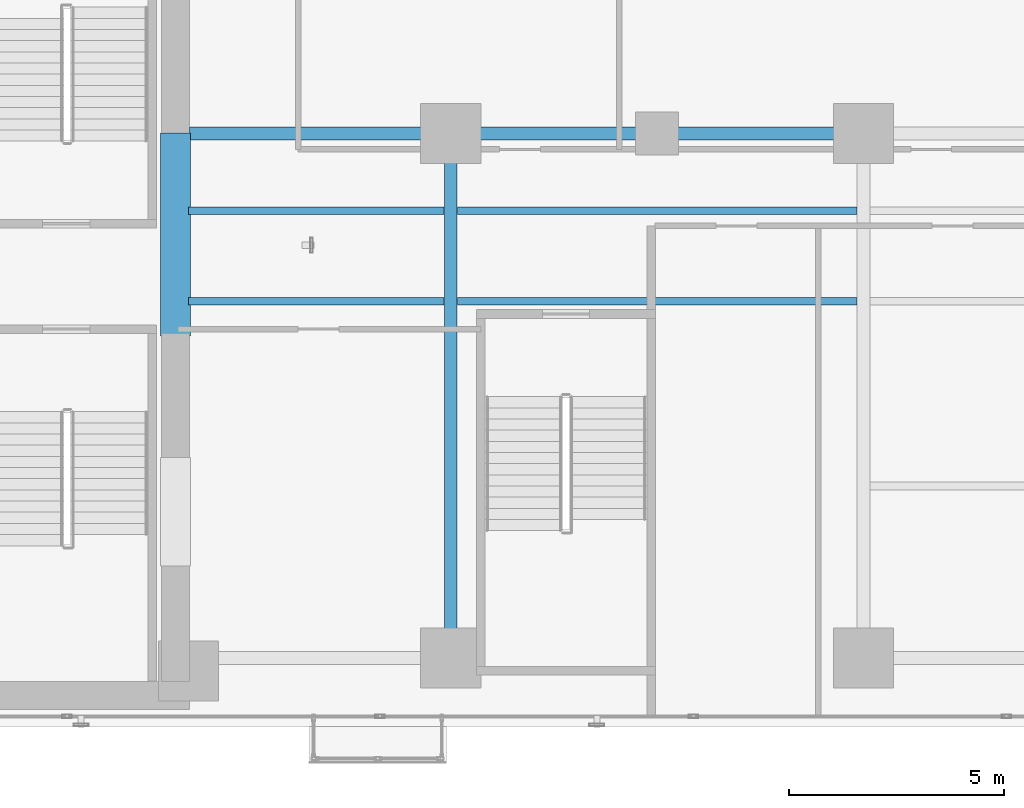
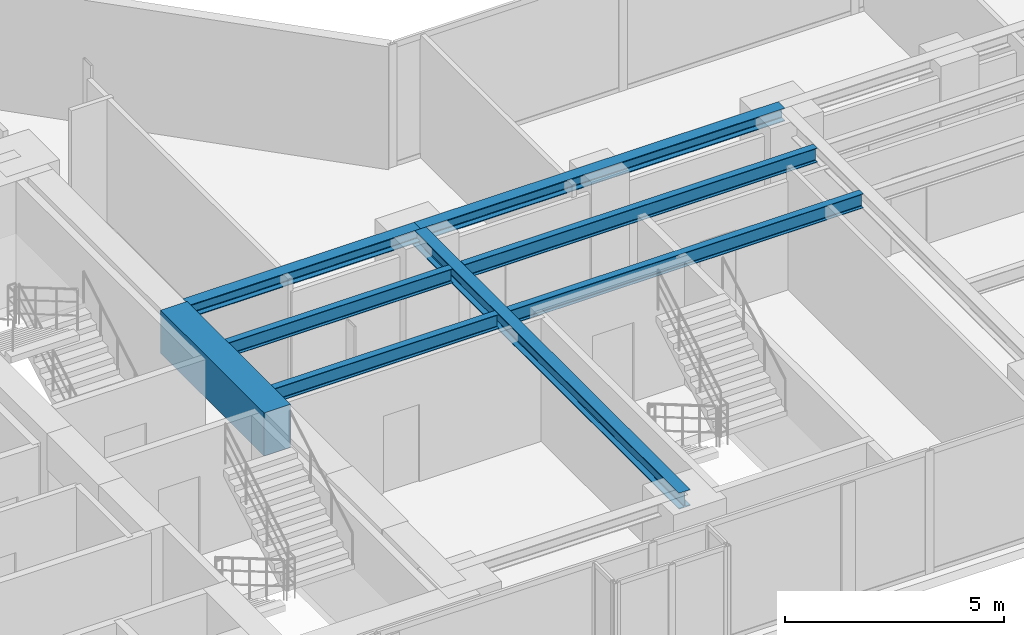
# One storey, part 5 of 25: 8 beams.
"""IFC4 building model written with IfcOpenShell, lengths in metres."""

from ifc_helpers import new_model, si_unit, direction, frame, origin, origin_2d, place, context, subcontext, project, spatial, rectangle, i_section, extrude, material, material_profile, profile_set, type_object, element, save


model = new_model("IFC4")

# Units and contexts
model_context = context("Model", 3, precision=1e-05, world=origin(), true_north=direction((0.0, 1.0)))
body_context = subcontext(model_context, "Body", "Model", "MODEL_VIEW")
ifc_project = project(units=[si_unit("LENGTHUNIT", "METRE"), si_unit("AREAUNIT", "SQUARE_METRE"), si_unit("VOLUMEUNIT", "CUBIC_METRE"), si_unit("PLANEANGLEUNIT", "RADIAN"), si_unit("MASSUNIT", "GRAM", prefix="KILO")], contexts=[model_context])

# Site, building, storey
site_placement = place(None, origin())
site = spatial("IfcSite", under=ifc_project, at=site_placement, CompositionType="ELEMENT")
building_placement = place(site_placement, origin())
building = spatial("IfcBuilding", under=site, at=building_placement, Name="Kolvaren Waterfront Exchange", CompositionType="ELEMENT")
storey_placement = place(building_placement, frame((0.0, 0.0, 137.300048828125)))
storey = spatial("IfcBuildingStorey", under=building, at=storey_placement, Name="L35", CompositionType="ELEMENT", Elevation=137.300048828125)

# Beams
ifc_material_1 = material(Name="Steel S355", Category="steel")
ifc_material_profile_1 = material_profile(ifc_material_1, i_section(OverallWidth=0.300048828125, OverallDepth=0.360107421875, WebThickness=0.012451171875, FlangeThickness=0.0224609375, FilletRadius=0.027099609375, at=origin_2d()), Name="HEB360")
ifc_profile_set_1 = profile_set([ifc_material_profile_1], Name="Steel S355")
beam_type_1 = type_object("IfcBeamType", Name="STR-BM-HEB360", PredefinedType="SPANDREL", material=ifc_profile_set_1)
beam_1_placement = place(storey_placement, frame((21.125, 17.39990234375, 3.239990234375), z_axis=(1.0, 0.0, 0.0), x_axis=(0.0, 1.0, 0.0)))
element("IfcBeam", 1, at=beam_1_placement, inside=storey, type_object=beam_type_1, Name="L35 east-arm spandrel N1", PredefinedType="SPANDREL", context=body_context, shape_type="SweptSolid", body=[
    extrude(i_section(OverallWidth=0.300048828125, OverallDepth=0.360107421875, WebThickness=0.012451171875, FlangeThickness=0.0224609375, FilletRadius=0.027099609375, at=origin_2d()), origin(), (0.0, 0.0, 1.0), 6.074951171875),
])
beam_2_placement = place(storey_placement, frame((27.199951171875, 17.39990234375, 3.239990234375), z_axis=(1.0, 0.0, 0.0), x_axis=(0.0, 1.0, 0.0)))
element("IfcBeam", 2, at=beam_2_placement, inside=storey, type_object=beam_type_1, Name="L35 east-arm spandrel N2", PredefinedType="SPANDREL", context=body_context, shape_type="SweptSolid", body=[
    extrude(i_section(OverallWidth=0.300048828125, OverallDepth=0.360107421875, WebThickness=0.012451171875, FlangeThickness=0.0224609375, FilletRadius=0.027099609375, at=origin_2d()), origin(), (0.0, 0.0, 1.0), 9.60009765625),
])
ifc_material_profile_2 = material_profile(ifc_material_1, i_section(OverallWidth=0.300048828125, OverallDepth=0.449951171875, WebThickness=0.013916015625, FlangeThickness=0.02587890625, FilletRadius=0.027099609375, at=origin_2d()), Name="HEB450")
ifc_profile_set_2 = profile_set([ifc_material_profile_2], Name="Steel S355")
beam_type_2 = type_object("IfcBeamType", Name="STR-BM-HEB450", PredefinedType="BEAM", material=ifc_profile_set_2)
beam_3_placement = place(storey_placement, frame((27.199951171875, 5.199951171875, 3.195068359375), z_axis=(0.0, 1.0, 0.0), x_axis=(-1.0, 0.0, 0.0)))
element("IfcBeam", 3, at=beam_3_placement, inside=storey, type_object=beam_type_2, Name="L35 east-arm transverse girder X27", PredefinedType="BEAM", context=body_context, shape_type="SweptSolid", body=[
    extrude(i_section(OverallWidth=0.300048828125, OverallDepth=0.449951171875, WebThickness=0.013916015625, FlangeThickness=0.02587890625, FilletRadius=0.027099609375, at=origin_2d()), origin(), (0.0, 0.0, 1.0), 12.199951171875),
])
ifc_material_profile_3 = material_profile(ifc_material_1, i_section(OverallWidth=0.179931640625, OverallDepth=0.39990234375, WebThickness=0.008544921875, FlangeThickness=0.013427734375, FilletRadius=0.02099609375, at=origin_2d()), Name="IPE400")
ifc_profile_set_3 = profile_set([ifc_material_profile_3], Name="Steel S355")
beam_type_3 = type_object("IfcBeamType", Name="STR-BM-IPE400", PredefinedType="JOIST", material=ifc_profile_set_3)
for number, where, z_axis, x_axis, name in (
    (4, (21.10009765625, 13.5, 3.219970703125), (1.0, 0.0, 0.0), (0.0, 1.0, 0.0), "L35 east-arm composite joist 1A"),
    (5, (21.10009765625, 15.60009765625, 3.219970703125), (1.0, 0.0, 0.0), (0.0, 1.0, 0.0), "L35 east-arm composite joist 1C"),
):
    element("IfcBeam", number, at=place(storey_placement, frame(where, z_axis=z_axis, x_axis=x_axis)), inside=storey, type_object=beam_type_3, Name=name, PredefinedType="JOIST", context=body_context, shape_type="SweptSolid", body=[
        extrude(i_section(OverallWidth=0.179931640625, OverallDepth=0.39990234375, WebThickness=0.008544921875, FlangeThickness=0.013427734375, FilletRadius=0.02099609375, at=origin_2d()), origin(), (0.0, 0.0, 1.0), 5.947998046875),
    ])
for number, where, z_axis, x_axis, name in (
    (6, (27.35205078125, 13.5, 3.219970703125), (1.0, 0.0, 0.0), (0.0, 1.0, 0.0), "L35 east-arm composite joist 2A"),
    (7, (27.35205078125, 15.60009765625, 3.219970703125), (1.0, 0.0, 0.0), (0.0, 1.0, 0.0), "L35 east-arm composite joist 2C"),
):
    element("IfcBeam", number, at=place(storey_placement, frame(where, z_axis=z_axis, x_axis=x_axis)), inside=storey, type_object=beam_type_3, Name=name, PredefinedType="JOIST", context=body_context, shape_type="SweptSolid", body=[
        extrude(i_section(OverallWidth=0.179931640625, OverallDepth=0.39990234375, WebThickness=0.008544921875, FlangeThickness=0.013427734375, FilletRadius=0.02099609375, at=origin_2d()), origin(), (0.0, 0.0, 1.0), 9.2958984375),
    ])
ifc_material_2 = material(Name="Concrete C70/85", Category="concrete")
ifc_material_profile_4 = material_profile(ifc_material_2, rectangle(XDim=0.699951171875, YDim=1.199951171875, at=origin_2d()), Name="RC-CB-1200x700")
ifc_profile_set_4 = profile_set([ifc_material_profile_4], Name="Concrete C70/85")
beam_type_4 = type_object("IfcBeamType", Name="STR-CB-1200", PredefinedType="SPANDREL", material=ifc_profile_set_4)
beam_4_placement = place(storey_placement, frame((20.800048828125, 12.68994140625, 2.820068359375), z_axis=(0.0, 1.0, 0.0), x_axis=(-1.0, 0.0, 0.0)))
element("IfcBeam", 8, at=beam_4_placement, inside=storey, type_object=beam_type_4, Name="L35 core coupling beam 2", PredefinedType="SPANDREL", context=body_context, shape_type="SweptSolid", body=[
    extrude(rectangle(XDim=0.699951171875, YDim=1.199951171875, at=origin_2d()), origin(), (0.0, 0.0, 1.0), 4.719970703125),
])

save(model, "model.ifc")
